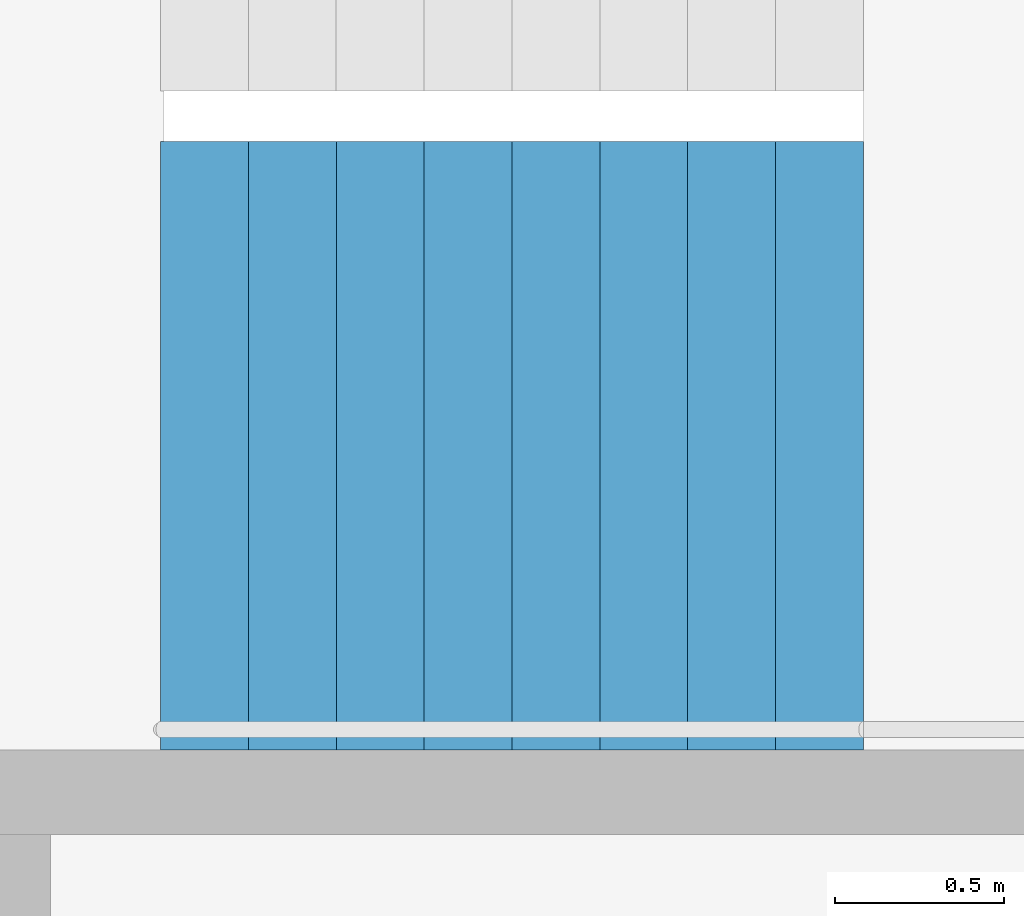
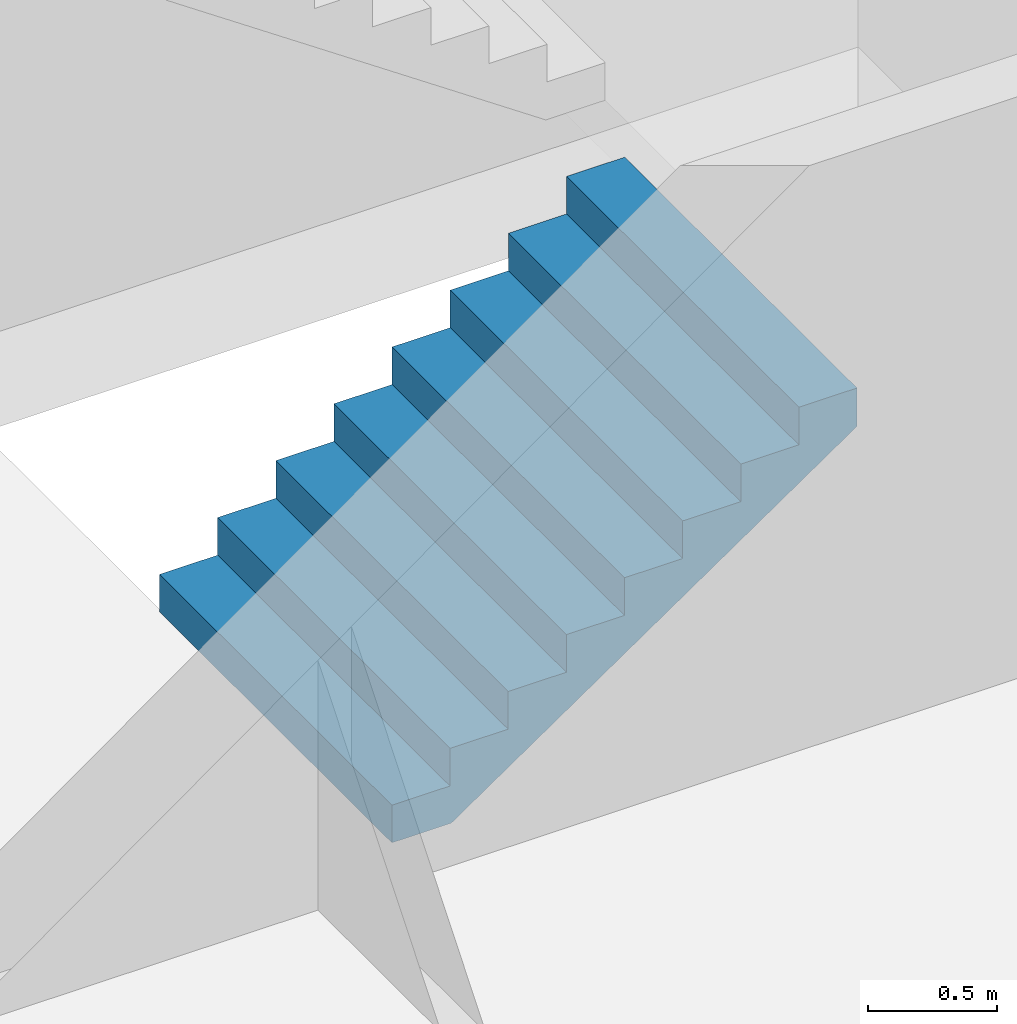
# One storey, part 20 of 26: 1 stair flight, 1 element without a shape of its own.
"""IFC4 building model written with IfcOpenShell, lengths in metres."""

from ifc_helpers import new_model, si_unit, direction, frame, origin, place, context, subcontext, project, spatial, triangles, material, type_object, element, aggregate, save


model = new_model("IFC4")

# Units and contexts
model_context = context("Model", 3, precision=1e-05, world=origin(), true_north=direction((0.0, 1.0)))
body_context = subcontext(model_context, "Body", "Model", "MODEL_VIEW")
ifc_project = project(units=[si_unit("LENGTHUNIT", "METRE"), si_unit("AREAUNIT", "SQUARE_METRE"), si_unit("VOLUMEUNIT", "CUBIC_METRE"), si_unit("PLANEANGLEUNIT", "RADIAN"), si_unit("MASSUNIT", "GRAM", prefix="KILO")], contexts=[model_context])

# Site, building, storey
site_placement = place(None, origin())
site = spatial("IfcSite", under=ifc_project, at=site_placement, CompositionType="ELEMENT")
building_placement = place(site_placement, origin())
building = spatial("IfcBuilding", under=site, at=building_placement, Name="Hakoniwa Tower and Hamabe Station Hall", CompositionType="ELEMENT")
storey_placement = place(building_placement, frame((0.0, 0.0, 251.800048828125)))
storey = spatial("IfcBuildingStorey", under=building, at=storey_placement, Name="L71", CompositionType="ELEMENT", Elevation=251.800048828125)

# Stair, stair flight
ifc_material_1 = material(Name="Concrete C40", Category="concrete")
stair_type = type_object("IfcStairType", Name="ESCAPE STAIR 1800", PredefinedType="HALF_TURN_STAIR", material=ifc_material_1)
stair_placement = place(storey_placement, origin())
stair = element("IfcStair", 1, at=stair_placement, inside=storey, type_object=stair_type, Name="Escape stair ST-1 L71", PredefinedType="HALF_TURN_STAIR")
ifc_material_2 = material(Name="Concrete C40", Category="concrete")
stair_flight_type = type_object("IfcStairFlightType", Name="STAIR FLIGHT 1800", PredefinedType="STRAIGHT", material=ifc_material_2)
stair_flight_placement = place(storey_placement, frame((-24.39990234375, 4.64990234375, 0.0), z_axis=(0.0, 0.0, 1.0), x_axis=(1.0, 0.0, 0.0)))
stair_flight = element("IfcStairFlight", 2, at=stair_flight_placement, type_object=stair_flight_type, Name="ST-1 flight 1", NumberOfRisers=9, NumberOfTreads=8, PredefinedType="STRAIGHT", RiserHeight=0.177777778, TreadLength=0.26, context=body_context, shape_type="Tessellation", body=[
    triangles([(0.0, 0.89990234375, 0.0), (0.260009765625, 0.89990234375, 0.0), (0.265625, 0.89990234375, 0.0), (0.52001953125, 0.89990234375, 0.174072265625), (0.780029296875, 0.89990234375, 0.351806640625), (1.0400390625, 0.89990234375, 0.529541015625), (1.300048828125, 0.89990234375, 0.707275390625), (1.56005859375, 0.89990234375, 0.885009765625), (1.820068359375, 0.89990234375, 1.062744140625), (2.080078125, 0.89990234375, 1.24072265625), (2.080078125, 0.89990234375, 1.422119140625), (1.820068359375, 0.89990234375, 1.422119140625), (1.820068359375, 0.89990234375, 1.244384765625), (1.56005859375, 0.89990234375, 1.244384765625), (1.56005859375, 0.89990234375, 1.066650390625), (1.300048828125, 0.89990234375, 1.066650390625), (1.300048828125, 0.89990234375, 0.888916015625), (1.0400390625, 0.89990234375, 0.888916015625), (1.0400390625, 0.89990234375, 0.711181640625), (0.780029296875, 0.89990234375, 0.711181640625), (0.780029296875, 0.89990234375, 0.533447265625), (0.52001953125, 0.89990234375, 0.533447265625), (0.52001953125, 0.89990234375, 0.35546875), (0.265625, 0.89990234375, 0.35546875), (0.260009765625, 0.89990234375, 0.35546875), (0.260009765625, 0.89990234375, 0.177734375), (0.0, 0.89990234375, 0.177734375), (0.0, 0.06005859375, 0.0), (0.260009765625, 0.06005859375, 0.0), (0.265625, 0.06005859375, 0.0), (0.52001953125, 0.06005859375, 0.174072265625), (0.780029296875, 0.06005859375, 0.351806640625), (1.0400390625, 0.06005859375, 0.529541015625), (1.300048828125, 0.06005859375, 0.707275390625), (1.56005859375, 0.06005859375, 0.885009765625), (1.820068359375, 0.06005859375, 1.062744140625), (2.080078125, 0.06005859375, 1.24072265625), (2.080078125, 0.06005859375, 1.422119140625), (1.820068359375, 0.06005859375, 1.422119140625), (1.820068359375, 0.06005859375, 1.244384765625), (1.56005859375, 0.06005859375, 1.244384765625), (1.56005859375, 0.06005859375, 1.066650390625), (1.300048828125, 0.06005859375, 1.066650390625), (1.300048828125, 0.06005859375, 0.888916015625), (1.0400390625, 0.06005859375, 0.888916015625), (1.0400390625, 0.06005859375, 0.711181640625), (0.780029296875, 0.06005859375, 0.711181640625), (0.780029296875, 0.06005859375, 0.533447265625), (0.52001953125, 0.06005859375, 0.533447265625), (0.52001953125, 0.06005859375, 0.35546875), (0.265625, 0.06005859375, 0.35546875), (0.260009765625, 0.06005859375, 0.35546875), (0.260009765625, 0.06005859375, 0.177734375), (0.0, 0.06005859375, 0.177734375), (0.0, 0.04296875, 0.0), (0.260009765625, 0.04296875, 0.0), (0.265625, 0.04296875, 0.0), (0.52001953125, 0.04296875, 0.174072265625), (0.780029296875, 0.04296875, 0.351806640625), (1.0400390625, 0.04296875, 0.529541015625), (1.300048828125, 0.04296875, 0.707275390625), (1.56005859375, 0.04296875, 0.885009765625), (1.820068359375, 0.04296875, 1.062744140625), (2.080078125, 0.04296875, 1.24072265625), (2.080078125, 0.04296875, 1.422119140625), (1.820068359375, 0.04296875, 1.422119140625), (1.820068359375, 0.04296875, 1.244384765625), (1.56005859375, 0.04296875, 1.244384765625), (1.56005859375, 0.04296875, 1.066650390625), (1.300048828125, 0.04296875, 1.066650390625), (1.300048828125, 0.04296875, 0.888916015625), (1.0400390625, 0.04296875, 0.888916015625), (1.0400390625, 0.04296875, 0.711181640625), (0.780029296875, 0.04296875, 0.711181640625), (0.780029296875, 0.04296875, 0.533447265625), (0.52001953125, 0.04296875, 0.533447265625), (0.52001953125, 0.04296875, 0.35546875), (0.265625, 0.04296875, 0.35546875), (0.260009765625, 0.04296875, 0.35546875), (0.260009765625, 0.04296875, 0.177734375), (0.0, 0.04296875, 0.177734375), (0.0, 0.025634765625, 0.0), (0.260009765625, 0.025634765625, 0.0), (0.265625, 0.025634765625, 0.0), (0.52001953125, 0.025634765625, 0.174072265625), (0.780029296875, 0.025634765625, 0.351806640625), (1.0400390625, 0.025634765625, 0.529541015625), (1.300048828125, 0.025634765625, 0.707275390625), (1.56005859375, 0.025634765625, 0.885009765625), (1.820068359375, 0.025634765625, 1.062744140625), (2.080078125, 0.025634765625, 1.24072265625), (2.080078125, 0.025634765625, 1.422119140625), (1.820068359375, 0.025634765625, 1.422119140625), (1.820068359375, 0.025634765625, 1.244384765625), (1.56005859375, 0.025634765625, 1.244384765625), (1.56005859375, 0.025634765625, 1.066650390625), (1.300048828125, 0.025634765625, 1.066650390625), (1.300048828125, 0.025634765625, 0.888916015625), (1.0400390625, 0.025634765625, 0.888916015625), (1.0400390625, 0.025634765625, 0.711181640625), (0.780029296875, 0.025634765625, 0.711181640625), (0.780029296875, 0.025634765625, 0.533447265625), (0.52001953125, 0.025634765625, 0.533447265625), (0.52001953125, 0.025634765625, 0.35546875), (0.265625, 0.025634765625, 0.35546875), (0.260009765625, 0.025634765625, 0.35546875), (0.260009765625, 0.025634765625, 0.177734375), (0.0, 0.025634765625, 0.177734375), (0.0, 0.008544921875, 0.0), (0.260009765625, 0.008544921875, 0.0), (0.265625, 0.008544921875, 0.0), (0.52001953125, 0.008544921875, 0.174072265625), (0.780029296875, 0.008544921875, 0.351806640625), (1.0400390625, 0.008544921875, 0.529541015625), (1.300048828125, 0.008544921875, 0.707275390625), (1.56005859375, 0.008544921875, 0.885009765625), (1.820068359375, 0.008544921875, 1.062744140625), (2.080078125, 0.008544921875, 1.24072265625), (2.080078125, 0.008544921875, 1.422119140625), (1.820068359375, 0.008544921875, 1.422119140625), (1.820068359375, 0.008544921875, 1.244384765625), (1.56005859375, 0.008544921875, 1.244384765625), (1.56005859375, 0.008544921875, 1.066650390625), (1.300048828125, 0.008544921875, 1.066650390625), (1.300048828125, 0.008544921875, 0.888916015625), (1.0400390625, 0.008544921875, 0.888916015625), (1.0400390625, 0.008544921875, 0.711181640625), (0.780029296875, 0.008544921875, 0.711181640625), (0.780029296875, 0.008544921875, 0.533447265625), (0.52001953125, 0.008544921875, 0.533447265625), (0.52001953125, 0.008544921875, 0.35546875), (0.265625, 0.008544921875, 0.35546875), (0.260009765625, 0.008544921875, 0.35546875), (0.260009765625, 0.008544921875, 0.177734375), (0.0, 0.008544921875, 0.177734375), (0.0, -0.008544921875, 0.0), (0.260009765625, -0.008544921875, 0.0), (0.265625, -0.008544921875, 0.0), (0.52001953125, -0.008544921875, 0.174072265625), (0.780029296875, -0.008544921875, 0.351806640625), (1.0400390625, -0.008544921875, 0.529541015625), (1.300048828125, -0.008544921875, 0.707275390625), (1.56005859375, -0.008544921875, 0.885009765625), (1.820068359375, -0.008544921875, 1.062744140625), (2.080078125, -0.008544921875, 1.24072265625), (2.080078125, -0.008544921875, 1.422119140625), (1.820068359375, -0.008544921875, 1.422119140625), (1.820068359375, -0.008544921875, 1.244384765625), (1.56005859375, -0.008544921875, 1.244384765625), (1.56005859375, -0.008544921875, 1.066650390625), (1.300048828125, -0.008544921875, 1.066650390625), (1.300048828125, -0.008544921875, 0.888916015625), (1.0400390625, -0.008544921875, 0.888916015625), (1.0400390625, -0.008544921875, 0.711181640625), (0.780029296875, -0.008544921875, 0.711181640625), (0.780029296875, -0.008544921875, 0.533447265625), (0.52001953125, -0.008544921875, 0.533447265625), (0.52001953125, -0.008544921875, 0.35546875), (0.265625, -0.008544921875, 0.35546875), (0.260009765625, -0.008544921875, 0.35546875), (0.260009765625, -0.008544921875, 0.177734375), (0.0, -0.008544921875, 0.177734375), (0.0, -0.025634765625, 0.0), (0.260009765625, -0.025634765625, 0.0), (0.265625, -0.025634765625, 0.0), (0.52001953125, -0.025634765625, 0.174072265625), (0.780029296875, -0.025634765625, 0.351806640625), (1.0400390625, -0.025634765625, 0.529541015625), (1.300048828125, -0.025634765625, 0.707275390625), (1.56005859375, -0.025634765625, 0.885009765625), (1.820068359375, -0.025634765625, 1.062744140625), (2.080078125, -0.025634765625, 1.24072265625), (2.080078125, -0.025634765625, 1.422119140625), (1.820068359375, -0.025634765625, 1.422119140625), (1.820068359375, -0.025634765625, 1.244384765625), (1.56005859375, -0.025634765625, 1.244384765625), (1.56005859375, -0.025634765625, 1.066650390625), (1.300048828125, -0.025634765625, 1.066650390625), (1.300048828125, -0.025634765625, 0.888916015625), (1.0400390625, -0.025634765625, 0.888916015625), (1.0400390625, -0.025634765625, 0.711181640625), (0.780029296875, -0.025634765625, 0.711181640625), (0.780029296875, -0.025634765625, 0.533447265625), (0.52001953125, -0.025634765625, 0.533447265625), (0.52001953125, -0.025634765625, 0.35546875), (0.265625, -0.025634765625, 0.35546875), (0.260009765625, -0.025634765625, 0.35546875), (0.260009765625, -0.025634765625, 0.177734375), (0.0, -0.025634765625, 0.177734375), (0.0, -0.04296875, 0.0), (0.260009765625, -0.04296875, 0.0), (0.265625, -0.04296875, 0.0), (0.52001953125, -0.04296875, 0.174072265625), (0.780029296875, -0.04296875, 0.351806640625), (1.0400390625, -0.04296875, 0.529541015625), (1.300048828125, -0.04296875, 0.707275390625), (1.56005859375, -0.04296875, 0.885009765625), (1.820068359375, -0.04296875, 1.062744140625), (2.080078125, -0.04296875, 1.24072265625), (2.080078125, -0.04296875, 1.422119140625), (1.820068359375, -0.04296875, 1.422119140625), (1.820068359375, -0.04296875, 1.244384765625), (1.56005859375, -0.04296875, 1.244384765625), (1.56005859375, -0.04296875, 1.066650390625), (1.300048828125, -0.04296875, 1.066650390625), (1.300048828125, -0.04296875, 0.888916015625), (1.0400390625, -0.04296875, 0.888916015625), (1.0400390625, -0.04296875, 0.711181640625), (0.780029296875, -0.04296875, 0.711181640625), (0.780029296875, -0.04296875, 0.533447265625), (0.52001953125, -0.04296875, 0.533447265625), (0.52001953125, -0.04296875, 0.35546875), (0.265625, -0.04296875, 0.35546875), (0.260009765625, -0.04296875, 0.35546875), (0.260009765625, -0.04296875, 0.177734375), (0.0, -0.04296875, 0.177734375), (0.0, -0.06005859375, 0.0), (0.260009765625, -0.06005859375, 0.0), (0.265625, -0.06005859375, 0.0), (0.52001953125, -0.06005859375, 0.174072265625), (0.780029296875, -0.06005859375, 0.351806640625), (1.0400390625, -0.06005859375, 0.529541015625), (1.300048828125, -0.06005859375, 0.707275390625), (1.56005859375, -0.06005859375, 0.885009765625), (1.820068359375, -0.06005859375, 1.062744140625), (2.080078125, -0.06005859375, 1.24072265625), (2.080078125, -0.06005859375, 1.422119140625), (1.820068359375, -0.06005859375, 1.422119140625), (1.820068359375, -0.06005859375, 1.244384765625), (1.56005859375, -0.06005859375, 1.244384765625), (1.56005859375, -0.06005859375, 1.066650390625), (1.300048828125, -0.06005859375, 1.066650390625), (1.300048828125, -0.06005859375, 0.888916015625), (1.0400390625, -0.06005859375, 0.888916015625), (1.0400390625, -0.06005859375, 0.711181640625), (0.780029296875, -0.06005859375, 0.711181640625), (0.780029296875, -0.06005859375, 0.533447265625), (0.52001953125, -0.06005859375, 0.533447265625), (0.52001953125, -0.06005859375, 0.35546875), (0.265625, -0.06005859375, 0.35546875), (0.260009765625, -0.06005859375, 0.35546875), (0.260009765625, -0.06005859375, 0.177734375), (0.0, -0.06005859375, 0.177734375), (0.0, -0.89990234375, 0.0), (0.260009765625, -0.89990234375, 0.0), (0.265625, -0.89990234375, 0.0), (0.52001953125, -0.89990234375, 0.174072265625), (0.780029296875, -0.89990234375, 0.351806640625), (1.0400390625, -0.89990234375, 0.529541015625), (1.300048828125, -0.89990234375, 0.707275390625), (1.56005859375, -0.89990234375, 0.885009765625), (1.820068359375, -0.89990234375, 1.062744140625), (2.080078125, -0.89990234375, 1.24072265625), (2.080078125, -0.89990234375, 1.422119140625), (1.820068359375, -0.89990234375, 1.422119140625), (1.820068359375, -0.89990234375, 1.244384765625), (1.56005859375, -0.89990234375, 1.244384765625), (1.56005859375, -0.89990234375, 1.066650390625), (1.300048828125, -0.89990234375, 1.066650390625), (1.300048828125, -0.89990234375, 0.888916015625), (1.0400390625, -0.89990234375, 0.888916015625), (1.0400390625, -0.89990234375, 0.711181640625), (0.780029296875, -0.89990234375, 0.711181640625), (0.780029296875, -0.89990234375, 0.533447265625), (0.52001953125, -0.89990234375, 0.533447265625), (0.52001953125, -0.89990234375, 0.35546875), (0.265625, -0.89990234375, 0.35546875), (0.260009765625, -0.89990234375, 0.35546875), (0.260009765625, -0.89990234375, 0.177734375), (0.0, -0.89990234375, 0.177734375)], [[2, 27, 26], [245, 269, 270], [2, 1, 27], [245, 270, 244], [3, 25, 24], [246, 267, 268], [3, 26, 25], [246, 268, 269], [3, 2, 26], [246, 269, 245], [4, 24, 23], [247, 266, 267], [4, 3, 24], [247, 267, 246], [5, 22, 21], [248, 264, 265], [5, 23, 22], [248, 265, 266], [5, 4, 23], [248, 266, 247], [6, 20, 19], [249, 262, 263], [6, 21, 20], [249, 263, 264], [6, 5, 21], [249, 264, 248], [7, 18, 17], [250, 260, 261], [7, 19, 18], [250, 261, 262], [7, 6, 19], [250, 262, 249], [8, 16, 15], [251, 258, 259], [8, 17, 16], [251, 259, 260], [8, 7, 17], [251, 260, 250], [9, 14, 13], [252, 256, 257], [9, 15, 14], [252, 257, 258], [9, 8, 15], [252, 258, 251], [10, 12, 11], [253, 254, 255], [10, 13, 12], [253, 255, 256], [10, 9, 13], [253, 256, 252], [1, 2, 29], [1, 29, 28], [28, 29, 56], [28, 56, 55], [55, 56, 83], [55, 83, 82], [82, 83, 110], [82, 110, 109], [109, 110, 137], [109, 137, 136], [136, 137, 164], [136, 164, 163], [163, 164, 191], [163, 191, 190], [190, 191, 218], [190, 218, 217], [217, 218, 245], [217, 245, 244], [2, 3, 30], [2, 30, 29], [29, 30, 57], [29, 57, 56], [56, 57, 84], [56, 84, 83], [83, 84, 111], [83, 111, 110], [110, 111, 138], [110, 138, 137], [137, 138, 165], [137, 165, 164], [164, 165, 192], [164, 192, 191], [191, 192, 219], [191, 219, 218], [218, 219, 246], [218, 246, 245], [3, 4, 31], [3, 31, 30], [30, 31, 58], [30, 58, 57], [57, 58, 85], [57, 85, 84], [84, 85, 112], [84, 112, 111], [111, 112, 139], [111, 139, 138], [138, 139, 166], [138, 166, 165], [165, 166, 193], [165, 193, 192], [192, 193, 220], [192, 220, 219], [219, 220, 247], [219, 247, 246], [4, 5, 32], [4, 32, 31], [31, 32, 59], [31, 59, 58], [58, 59, 86], [58, 86, 85], [85, 86, 113], [85, 113, 112], [112, 113, 140], [112, 140, 139], [139, 140, 167], [139, 167, 166], [166, 167, 194], [166, 194, 193], [193, 194, 221], [193, 221, 220], [220, 221, 248], [220, 248, 247], [5, 6, 33], [5, 33, 32], [32, 33, 60], [32, 60, 59], [59, 60, 87], [59, 87, 86], [86, 87, 114], [86, 114, 113], [113, 114, 141], [113, 141, 140], [140, 141, 168], [140, 168, 167], [167, 168, 195], [167, 195, 194], [194, 195, 222], [194, 222, 221], [221, 222, 249], [221, 249, 248], [6, 7, 34], [6, 34, 33], [33, 34, 61], [33, 61, 60], [60, 61, 88], [60, 88, 87], [87, 88, 115], [87, 115, 114], [114, 115, 142], [114, 142, 141], [141, 142, 169], [141, 169, 168], [168, 169, 196], [168, 196, 195], [195, 196, 223], [195, 223, 222], [222, 223, 250], [222, 250, 249], [7, 8, 35], [7, 35, 34], [34, 35, 62], [34, 62, 61], [61, 62, 89], [61, 89, 88], [88, 89, 116], [88, 116, 115], [115, 116, 143], [115, 143, 142], [142, 143, 170], [142, 170, 169], [169, 170, 197], [169, 197, 196], [196, 197, 224], [196, 224, 223], [223, 224, 251], [223, 251, 250], [8, 9, 36], [8, 36, 35], [35, 36, 63], [35, 63, 62], [62, 63, 90], [62, 90, 89], [89, 90, 117], [89, 117, 116], [116, 117, 144], [116, 144, 143], [143, 144, 171], [143, 171, 170], [170, 171, 198], [170, 198, 197], [197, 198, 225], [197, 225, 224], [224, 225, 252], [224, 252, 251], [9, 10, 37], [9, 37, 36], [36, 37, 64], [36, 64, 63], [63, 64, 91], [63, 91, 90], [90, 91, 118], [90, 118, 117], [117, 118, 145], [117, 145, 144], [144, 145, 172], [144, 172, 171], [171, 172, 199], [171, 199, 198], [198, 199, 226], [198, 226, 225], [225, 226, 253], [225, 253, 252], [10, 11, 38], [10, 38, 37], [37, 38, 65], [37, 65, 64], [64, 65, 92], [64, 92, 91], [91, 92, 119], [91, 119, 118], [118, 119, 146], [118, 146, 145], [145, 146, 173], [145, 173, 172], [172, 173, 200], [172, 200, 199], [199, 200, 227], [199, 227, 226], [226, 227, 254], [226, 254, 253], [11, 12, 39], [11, 39, 38], [38, 39, 66], [38, 66, 65], [65, 66, 93], [65, 93, 92], [92, 93, 120], [92, 120, 119], [119, 120, 147], [119, 147, 146], [146, 147, 174], [146, 174, 173], [173, 174, 201], [173, 201, 200], [200, 201, 228], [200, 228, 227], [227, 228, 255], [227, 255, 254], [12, 13, 40], [12, 40, 39], [39, 40, 67], [39, 67, 66], [66, 67, 94], [66, 94, 93], [93, 94, 121], [93, 121, 120], [120, 121, 148], [120, 148, 147], [147, 148, 175], [147, 175, 174], [174, 175, 202], [174, 202, 201], [201, 202, 229], [201, 229, 228], [228, 229, 256], [228, 256, 255], [13, 14, 41], [13, 41, 40], [40, 41, 68], [40, 68, 67], [67, 68, 95], [67, 95, 94], [94, 95, 122], [94, 122, 121], [121, 122, 149], [121, 149, 148], [148, 149, 176], [148, 176, 175], [175, 176, 203], [175, 203, 202], [202, 203, 230], [202, 230, 229], [229, 230, 257], [229, 257, 256], [14, 15, 42], [14, 42, 41], [41, 42, 69], [41, 69, 68], [68, 69, 96], [68, 96, 95], [95, 96, 123], [95, 123, 122], [122, 123, 150], [122, 150, 149], [149, 150, 177], [149, 177, 176], [176, 177, 204], [176, 204, 203], [203, 204, 231], [203, 231, 230], [230, 231, 258], [230, 258, 257], [15, 16, 43], [15, 43, 42], [42, 43, 70], [42, 70, 69], [69, 70, 97], [69, 97, 96], [96, 97, 124], [96, 124, 123], [123, 124, 151], [123, 151, 150], [150, 151, 178], [150, 178, 177], [177, 178, 205], [177, 205, 204], [204, 205, 232], [204, 232, 231], [231, 232, 259], [231, 259, 258], [16, 17, 44], [16, 44, 43], [43, 44, 71], [43, 71, 70], [70, 71, 98], [70, 98, 97], [97, 98, 125], [97, 125, 124], [124, 125, 152], [124, 152, 151], [151, 152, 179], [151, 179, 178], [178, 179, 206], [178, 206, 205], [205, 206, 233], [205, 233, 232], [232, 233, 260], [232, 260, 259], [17, 18, 45], [17, 45, 44], [44, 45, 72], [44, 72, 71], [71, 72, 99], [71, 99, 98], [98, 99, 126], [98, 126, 125], [125, 126, 153], [125, 153, 152], [152, 153, 180], [152, 180, 179], [179, 180, 207], [179, 207, 206], [206, 207, 234], [206, 234, 233], [233, 234, 261], [233, 261, 260], [18, 19, 46], [18, 46, 45], [45, 46, 73], [45, 73, 72], [72, 73, 100], [72, 100, 99], [99, 100, 127], [99, 127, 126], [126, 127, 154], [126, 154, 153], [153, 154, 181], [153, 181, 180], [180, 181, 208], [180, 208, 207], [207, 208, 235], [207, 235, 234], [234, 235, 262], [234, 262, 261], [19, 20, 47], [19, 47, 46], [46, 47, 74], [46, 74, 73], [73, 74, 101], [73, 101, 100], [100, 101, 128], [100, 128, 127], [127, 128, 155], [127, 155, 154], [154, 155, 182], [154, 182, 181], [181, 182, 209], [181, 209, 208], [208, 209, 236], [208, 236, 235], [235, 236, 263], [235, 263, 262], [20, 21, 48], [20, 48, 47], [47, 48, 75], [47, 75, 74], [74, 75, 102], [74, 102, 101], [101, 102, 129], [101, 129, 128], [128, 129, 156], [128, 156, 155], [155, 156, 183], [155, 183, 182], [182, 183, 210], [182, 210, 209], [209, 210, 237], [209, 237, 236], [236, 237, 264], [236, 264, 263], [21, 22, 49], [21, 49, 48], [48, 49, 76], [48, 76, 75], [75, 76, 103], [75, 103, 102], [102, 103, 130], [102, 130, 129], [129, 130, 157], [129, 157, 156], [156, 157, 184], [156, 184, 183], [183, 184, 211], [183, 211, 210], [210, 211, 238], [210, 238, 237], [237, 238, 265], [237, 265, 264], [22, 23, 50], [22, 50, 49], [49, 50, 77], [49, 77, 76], [76, 77, 104], [76, 104, 103], [103, 104, 131], [103, 131, 130], [130, 131, 158], [130, 158, 157], [157, 158, 185], [157, 185, 184], [184, 185, 212], [184, 212, 211], [211, 212, 239], [211, 239, 238], [238, 239, 266], [238, 266, 265], [23, 24, 51], [23, 51, 50], [50, 51, 78], [50, 78, 77], [77, 78, 105], [77, 105, 104], [104, 105, 132], [104, 132, 131], [131, 132, 159], [131, 159, 158], [158, 159, 186], [158, 186, 185], [185, 186, 213], [185, 213, 212], [212, 213, 240], [212, 240, 239], [239, 240, 267], [239, 267, 266], [24, 25, 52], [24, 52, 51], [51, 52, 79], [51, 79, 78], [78, 79, 106], [78, 106, 105], [105, 106, 133], [105, 133, 132], [132, 133, 160], [132, 160, 159], [159, 160, 187], [159, 187, 186], [186, 187, 214], [186, 214, 213], [213, 214, 241], [213, 241, 240], [240, 241, 268], [240, 268, 267], [25, 26, 53], [25, 53, 52], [52, 53, 80], [52, 80, 79], [79, 80, 107], [79, 107, 106], [106, 107, 134], [106, 134, 133], [133, 134, 161], [133, 161, 160], [160, 161, 188], [160, 188, 187], [187, 188, 215], [187, 215, 214], [214, 215, 242], [214, 242, 241], [241, 242, 269], [241, 269, 268], [26, 27, 54], [26, 54, 53], [53, 54, 81], [53, 81, 80], [80, 81, 108], [80, 108, 107], [107, 108, 135], [107, 135, 134], [134, 135, 162], [134, 162, 161], [161, 162, 189], [161, 189, 188], [188, 189, 216], [188, 216, 215], [215, 216, 243], [215, 243, 242], [242, 243, 270], [242, 270, 269], [27, 1, 28], [27, 28, 54], [54, 28, 55], [54, 55, 81], [81, 55, 82], [81, 82, 108], [108, 82, 109], [108, 109, 135], [135, 109, 136], [135, 136, 162], [162, 136, 163], [162, 163, 189], [189, 163, 190], [189, 190, 216], [216, 190, 217], [216, 217, 243], [243, 217, 244], [243, 244, 270]], closed=True),
])
aggregate(stair, [stair_flight])

save(model, "model.ifc")
